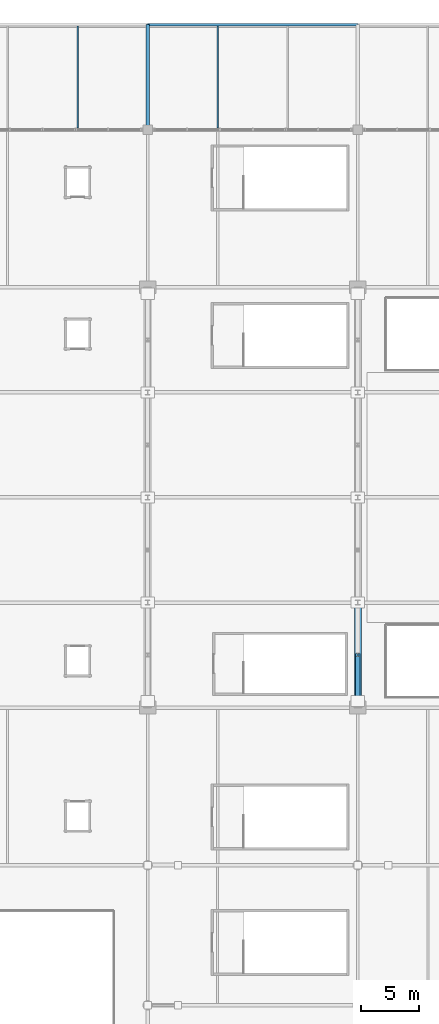
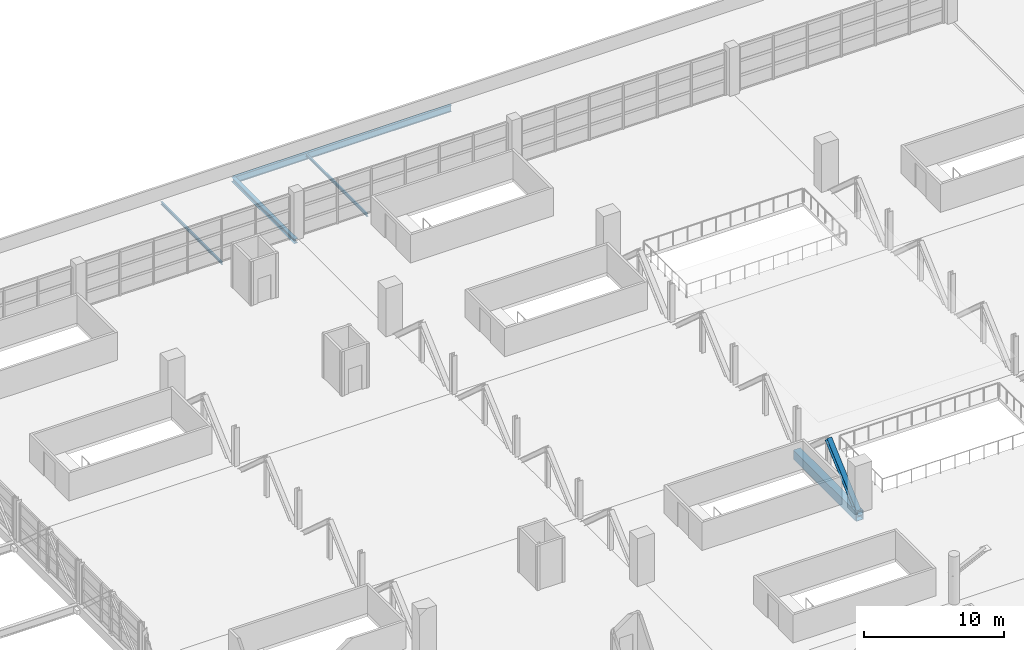
# One storey, part 39 of 136: 5 beams, 1 member.
"""IFC4 building model written with IfcOpenShell, lengths in metres."""

import ifcopenshell
import ifcopenshell.guid

model = None  # the IFC model being written
_history = None  # IfcOwnerHistory: only IFC2X3 demands one
_inside = {}  # id of a spatial element -> (the spatial element, [elements in it])
_under = {}  # id of a project, library or spatial element -> (it, [spatial elements below it])
_declared = {}  # id of a project -> (the project, [libraries it declares])
_typed = {}  # id of a type object -> (the type object, [elements of that type])
_made_of = {}  # id of a material, layer set ... -> (it, [elements and type objects made of it])


def new_model(schema):
    """Start an empty IFC model of exactly this schema.

    Asked for "IFC4X3", IfcOpenShell would pick the latest addendum, in which some entities
    have other attributes; the version numbers below select the first issue.
    IFC2X3 requires an IfcOwnerHistory on every rooted entity: one is made here for all.
    """
    global model, _history
    if schema == "IFC4X3":
        model = ifcopenshell.file(schema_version=(4, 3, 0, 0))
    else:
        model = ifcopenshell.file(schema=schema)
    _inside.clear()
    _under.clear()
    _declared.clear()
    _typed.clear()
    _made_of.clear()
    _history = None
    if model.schema == "IFC2X3":
        org = make("IfcOrganization", Name="unknown")
        user = make(
            "IfcPersonAndOrganization",
            ThePerson=make("IfcPerson", FamilyName="unknown"),
            TheOrganization=org,
        )
        app = make(
            "IfcApplication",
            ApplicationDeveloper=org,
            Version="unknown",
            ApplicationFullName="unknown",
            ApplicationIdentifier="unknown",
        )
        _history = make(
            "IfcOwnerHistory",
            OwningUser=user,
            OwningApplication=app,
            ChangeAction="ADDED",
            CreationDate=0,
        )
    return model


def make(cls, **values):
    """One entity of the class cls with the attributes given. An attribute that is None is left unset."""
    return model.create_entity(
        cls, **{name: value for name, value in values.items() if value is not None}
    )


def rooted(cls, **values):
    """An entity with a GlobalId (a new one), such as an element, a storey or a relation."""
    return make(cls, GlobalId=ifcopenshell.guid.new(), OwnerHistory=_history, **values)


def si_unit(unit_type, name, prefix=None):
    """IfcSIUnit, for example si_unit("LENGTHUNIT", "METRE", prefix="MILLI")."""
    return make("IfcSIUnit", UnitType=unit_type, Prefix=prefix, Name=name)


def assignment(units):
    """IfcUnitAssignment: the units of a project."""
    return None if units is None else make("IfcUnitAssignment", Units=units)


def point(xyz):
    """IfcCartesianPoint."""
    return None if xyz is None else make("IfcCartesianPoint", Coordinates=xyz)


def direction(xyz):
    """IfcDirection."""
    return None if xyz is None else make("IfcDirection", DirectionRatios=xyz)


def frame(location, z_axis=None, x_axis=None):
    """IfcAxis2Placement3D, a coordinate frame: its origin and axes. An axis left out is left unset."""
    return make(
        "IfcAxis2Placement3D",
        Location=point(location),
        Axis=direction(z_axis),
        RefDirection=direction(x_axis),
    )


def frame_2d(location, x_axis=None):
    """IfcAxis2Placement2D, a coordinate frame in the plane: its origin and x axis."""
    return make(
        "IfcAxis2Placement2D", Location=point(location), RefDirection=direction(x_axis)
    )


def origin():
    """The frame at (0, 0, 0) with its axes left unset."""
    return frame((0.0, 0.0, 0.0))


def origin_2d():
    """The frame at (0, 0) in the plane with its x axis left unset."""
    return frame_2d((0.0, 0.0))


def place(relative_to, where):
    """IfcLocalPlacement: puts the frame where relative to a parent placement (None: the world)."""
    return make(
        "IfcLocalPlacement", PlacementRelTo=relative_to, RelativePlacement=where
    )


def context(
    kind, dimensions, precision=None, world=None, true_north=None, identifier=None
):
    """IfcGeometricRepresentationContext, for example the 3D "Model" context."""
    return make(
        "IfcGeometricRepresentationContext",
        ContextIdentifier=identifier,
        ContextType=kind,
        CoordinateSpaceDimension=dimensions,
        Precision=precision,
        WorldCoordinateSystem=world,
        TrueNorth=true_north,
    )


def subcontext(parent, identifier, kind, view, scale=None):
    """IfcGeometricRepresentationSubContext, for example "Body" below "Model"."""
    return make(
        "IfcGeometricRepresentationSubContext",
        ContextIdentifier=identifier,
        ContextType=kind,
        ParentContext=parent,
        TargetScale=scale,
        TargetView=view,
    )


def project(units=None, contexts=None):
    """IfcProject with its units and contexts."""
    return rooted(
        "IfcProject",
        Name="project",
        RepresentationContexts=contexts,
        UnitsInContext=assignment(units),
    )


def spatial(cls, under=None, at=None, **own):
    """A site, building, storey or space (cls), placed at a placement, below another one or the project."""
    s = rooted(cls, ObjectPlacement=at, **own)
    if under is not None:
        _under.setdefault(under.id(), (under, []))[1].append(s)
    return s


def profile(cls, at=None, kind="AREA", **sizes):
    """A parametric profile (cls). Its sizes go by their IFC names, for example OverallWidth=200.0."""
    return make(cls, ProfileType=kind, Position=at, **sizes)


def hollow_rectangle(**sizes):
    """IfcRectangleHollowProfileDef."""
    return profile("IfcRectangleHollowProfileDef", **sizes)


def i_section(**sizes):
    """IfcIShapeProfileDef."""
    return profile("IfcIShapeProfileDef", **sizes)


def extrude(swept, where, along, depth):
    """IfcExtrudedAreaSolid: the profile swept, set in the frame where, extruded along a direction by depth."""
    return make(
        "IfcExtrudedAreaSolid",
        SweptArea=swept,
        Position=where,
        ExtrudedDirection=direction(along),
        Depth=depth,
    )


def shape(context_of_items, identifier, shape_type, items):
    """IfcShapeRepresentation: the items that make up one representation, for example the "Body"."""
    return make(
        "IfcShapeRepresentation",
        ContextOfItems=context_of_items,
        RepresentationIdentifier=identifier,
        RepresentationType=shape_type,
        Items=items,
    )


def material(Name=None, Category=None):
    """IfcMaterial."""
    return make("IfcMaterial", Name=Name, Category=Category)


def material_profile(
    of_material, cross_section, Name=None, Category=None, Priority=None
):
    """IfcMaterialProfile: a cross section and its material."""
    return make(
        "IfcMaterialProfile",
        Name=Name,
        Material=of_material,
        Profile=cross_section,
        Priority=Priority,
        Category=Category,
    )


def profile_set(profiles, Name=None, composite=None):
    """IfcMaterialProfileSet."""
    return make(
        "IfcMaterialProfileSet",
        Name=Name,
        MaterialProfiles=profiles,
        CompositeProfile=composite,
    )


def made_of(thing, what):
    """Note that an element or type object is made of a material, layer set ...; save() writes the relation."""
    if what is not None:
        _made_of.setdefault(what.id(), (what, []))[1].append(thing)
    return thing


def type_object(cls, material=None, **own):
    """A type object (cls), such as IfcWallType, which elements share."""
    return made_of(rooted(cls, **own), material)


def element(
    cls,
    number,
    at=None,
    inside=None,
    cuts=None,
    type_object=None,
    material=None,
    context=None,
    identifier="Body",
    shape_type=None,
    held_by="IfcProductDefinitionShape",
    body=None,
    shapes=None,
    **own,
):
    """One element of the class cls, such as IfcWall. Its Tag is "e" and its number.

    at: its placement. inside: the storey or other place that contains it. cuts: it is an
    opening in that element (IfcRelVoidsElement). A single representation is given by context,
    identifier, shape_type and body (its items); several are given by shapes. held_by: the class
    of the entity that holds the representations. save() writes the other relations.
    """
    e = rooted(cls, Tag="e%d" % number, ObjectPlacement=at, **own)
    if body is not None:
        shapes = [shape(context, identifier, shape_type, body)]
    if shapes is not None:
        e.Representation = make(held_by, Representations=shapes)
    if inside is not None:
        _inside.setdefault(inside.id(), (inside, []))[1].append(e)
    if cuts is not None:
        rooted(
            "IfcRelVoidsElement", RelatingBuildingElement=cuts, RelatedOpeningElement=e
        )
    if type_object is not None:
        _typed.setdefault(type_object.id(), (type_object, []))[1].append(e)
    return made_of(e, material)


def aggregate(whole, parts):
    """IfcRelAggregates: a whole, such as a stair, and the parts it consists of."""
    return rooted("IfcRelAggregates", RelatingObject=whole, RelatedObjects=parts)


def save(model, path):
    """Write the relations noted so far, then the file.

    IfcRelAggregates (storeys below a building ...), IfcRelContainedInSpatialStructure (elements
    in a storey), IfcRelDefinesByType, IfcRelAssociatesMaterial and IfcRelDeclares: one each for
    every whole, place, type object, material and project.
    """
    for whole, parts in _under.values():
        aggregate(whole, parts)
    for where, things in _inside.values():
        rooted(
            "IfcRelContainedInSpatialStructure",
            RelatedElements=things,
            RelatingStructure=where,
        )
    for kind, things in _typed.values():
        rooted("IfcRelDefinesByType", RelatedObjects=things, RelatingType=kind)
    for what, things in _made_of.values():
        rooted("IfcRelAssociatesMaterial", RelatedObjects=things, RelatingMaterial=what)
    for by, libraries in _declared.values():
        rooted("IfcRelDeclares", RelatingContext=by, RelatedDefinitions=libraries)
    model.write(path)


model = new_model("IFC4")

# Units and contexts
model_context = context("Model", 3, precision=1e-05, world=origin(), true_north=direction((0.0, 1.0)))
body_context = subcontext(model_context, "Body", "Model", "MODEL_VIEW")
ifc_project = project(units=[si_unit("LENGTHUNIT", "METRE"), si_unit("AREAUNIT", "SQUARE_METRE"), si_unit("VOLUMEUNIT", "CUBIC_METRE"), si_unit("PLANEANGLEUNIT", "RADIAN"), si_unit("MASSUNIT", "GRAM", prefix="KILO")], contexts=[model_context])

# Site, building, storey
site_placement = place(None, origin())
site = spatial("IfcSite", under=ifc_project, at=site_placement, CompositionType="ELEMENT")
building_placement = place(site_placement, origin())
building = spatial("IfcBuilding", under=site, at=building_placement, Name="Chuanluo Vaults Station", CompositionType="ELEMENT")
storey_placement = place(building_placement, frame((0.0, 0.0, 6.60009765625)))
storey = spatial("IfcBuildingStorey", under=building, at=storey_placement, Name="L01", CompositionType="ELEMENT", Elevation=6.60009765625)

# Beams
ifc_material_1 = material(Name="Steel Q355C", Category="steel")
ifc_material_profile_1 = material_profile(ifc_material_1, i_section(OverallWidth=0.300048828125, OverallDepth=0.389892578125, WebThickness=0.010009765625, FlangeThickness=0.01611328125, FilletRadius=0.02001953125, at=origin_2d()))
ifc_profile_set_1 = profile_set([ifc_material_profile_1], Name="Steel Q355C")
beam_type_1 = type_object("IfcBeamType", Name="BM-GRD-400", PredefinedType="BEAM", material=ifc_profile_set_1)
beam_1_placement = place(storey_placement, frame((54.0, 117.0, -0.400146484375), z_axis=(0.0, 1.0, 0.0), x_axis=(-1.0, 0.0, 0.0)))
element("IfcBeam", 1, at=beam_1_placement, inside=storey, type_object=beam_type_1, Name="Floor girder BM:GY:L01:0432", PredefinedType="BEAM", context=body_context, shape_type="SweptSolid", body=[
    extrude(i_section(OverallWidth=0.300048828125, OverallDepth=0.389892578125, WebThickness=0.010009765625, FlangeThickness=0.01611328125, FilletRadius=0.02001953125, at=origin_2d()), origin(), (0.0, 0.0, 1.0), 9.0),
])
ifc_material_2 = material(Name="Steel Q355C", Category="steel")
ifc_material_profile_2 = material_profile(ifc_material_2, i_section(OverallWidth=0.125, OverallDepth=0.25, WebThickness=0.006103515625, FlangeThickness=0.009033203125, FilletRadius=0.011962890625, at=origin_2d()))
ifc_profile_set_2 = profile_set([ifc_material_profile_2], Name="Steel Q355C")
beam_type_2 = type_object("IfcBeamType", Name="BM-SEC-250", PredefinedType="JOIST", material=ifc_profile_set_2)
for number, where, z_axis, x_axis, name in (
    (2, (48.0, 117.155029296875, -0.330078125), (0.0, 1.0, 0.0), (-1.0, 0.0, 0.0), "Composite secondary joist 0121"),
    (3, (60.0, 117.155029296875, -0.330078125), (0.0, 1.0, 0.0), (-1.0, 0.0, 0.0), "Composite secondary joist 0126"),
):
    element("IfcBeam", number, at=place(storey_placement, frame(where, z_axis=z_axis, x_axis=x_axis)), inside=storey, type_object=beam_type_2, Name=name, PredefinedType="JOIST", context=body_context, shape_type="SweptSolid", body=[
        extrude(i_section(OverallWidth=0.125, OverallDepth=0.25, WebThickness=0.006103515625, FlangeThickness=0.009033203125, FilletRadius=0.011962890625, at=origin_2d()), origin(), (0.0, 0.0, 1.0), 8.73486328125),
    ])
ifc_material_3 = material(Name="Steel Q355C", Category="steel")
ifc_material_profile_3 = material_profile(ifc_material_3, i_section(OverallWidth=0.2099609375, OverallDepth=0.580078125, WebThickness=0.010986328125, FlangeThickness=0.01708984375, FilletRadius=0.01806640625, at=origin_2d()))
ifc_profile_set_3 = profile_set([ifc_material_profile_3], Name="Steel Q355C")
beam_type_3 = type_object("IfcBeamType", Name="BM-SPN-600", PredefinedType="SPANDREL", material=ifc_profile_set_3)
beam_2_placement = place(storey_placement, frame((54.0, 126.0, -0.4951171875), z_axis=(1.0, 0.0, 0.0), x_axis=(0.0, 1.0, 0.0)))
element("IfcBeam", 4, at=beam_2_placement, inside=storey, type_object=beam_type_3, Name="Floor girder BM:GX:L01:0394", PredefinedType="SPANDREL", context=body_context, shape_type="SweptSolid", body=[
    extrude(i_section(OverallWidth=0.2099609375, OverallDepth=0.580078125, WebThickness=0.010986328125, FlangeThickness=0.01708984375, FilletRadius=0.01806640625, at=origin_2d()), origin(), (0.0, 0.0, 1.0), 18.0),
])
ifc_material_4 = material(Name="Steel Q390C", Category="steel")
ifc_material_profile_4 = material_profile(ifc_material_4, hollow_rectangle(XDim=0.60009765625, YDim=0.800048828125, WallThickness=0.031982421875, at=origin_2d()))
ifc_profile_set_4 = profile_set([ifc_material_profile_4], Name="Steel Q390C")
beam_type_4 = type_object("IfcBeamType", Name="BM-TT-BOT", PredefinedType="USERDEFINED", material=ifc_profile_set_4)
beam_3_placement = place(storey_placement, frame((72.0, 67.5, -0.68017578125), z_axis=(0.0, 1.0, 0.0), x_axis=(-1.0, 0.0, 0.0)))
element("IfcBeam", 5, at=beam_3_placement, inside=storey, type_object=beam_type_4, Name="Transfer truss TT-5 bottom chord 1", ObjectType="GIRDER", PredefinedType="USERDEFINED", context=body_context, shape_type="SweptSolid", body=[
    extrude(hollow_rectangle(XDim=0.60009765625, YDim=0.800048828125, WallThickness=0.031982421875, at=origin_2d()), origin(), (0.0, 0.0, 1.0), 9.0),
])

# Member
ifc_material_5 = material(Name="Steel Q390C", Category="steel")
ifc_material_profile_5 = material_profile(ifc_material_5, i_section(OverallWidth=0.39990234375, OverallDepth=0.407958984375, WebThickness=0.02099609375, FlangeThickness=0.02099609375, FilletRadius=0.02197265625, at=origin_2d()))
ifc_profile_set_5 = profile_set([ifc_material_profile_5], Name="Steel Q390C")
member_type = type_object("IfcMemberType", Name="MEM-DIAG-408", PredefinedType="BRACE", material=ifc_profile_set_5)
member_placement = place(storey_placement, frame((72.0, 67.5, -0.68017578125), z_axis=(0.0, 0.744935757439, 0.667136205949), x_axis=(-1.0, 0.0, 0.0)))
element("IfcMember", 6, at=member_placement, inside=storey, type_object=member_type, Name="Transfer truss TT-5 diagonal 1A", PredefinedType="BRACE", context=body_context, shape_type="SweptSolid", body=[
    extrude(i_section(OverallWidth=0.39990234375, OverallDepth=0.407958984375, WebThickness=0.02099609375, FlangeThickness=0.02099609375, FilletRadius=0.02197265625, at=origin_2d()), origin(), (0.0, 0.0, 1.0), 6.040771484375),
])

save(model, "model.ifc")
